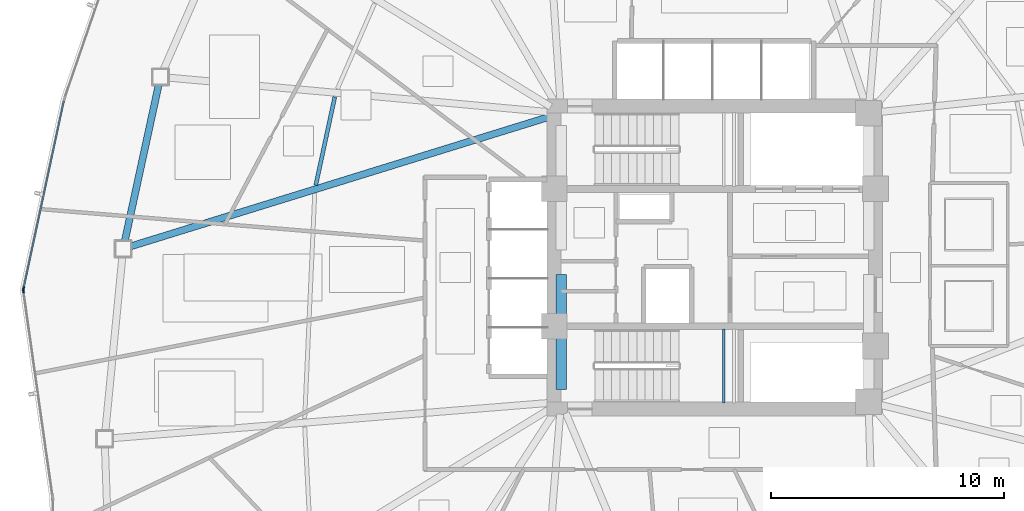
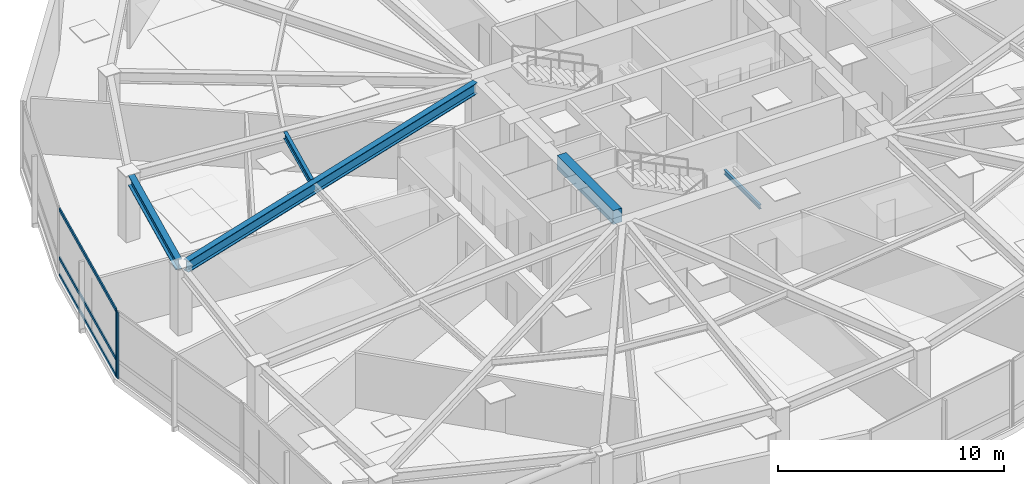
# One storey, part 4 of 17: 5 beams, 5 members, 2 elements without a shape of their own.
"""IFC4 building model written with IfcOpenShell, lengths in metres."""

from ifc_helpers import new_model, si_unit, direction, frame, origin, origin_2d, place, context, subcontext, project, spatial, rectangle, hollow_rectangle, i_section, extrude, source, transform, mapped, material, layer, layer_set, material_profile, profile_set, type_object, type_shapes, element, aggregate, save


model = new_model("IFC4")

# Units and contexts
model_context = context("Model", 3, precision=1e-05, world=origin(), true_north=direction((0.0, 1.0)))
body_context = subcontext(model_context, "Body", "Model", "MODEL_VIEW")
ifc_project = project(units=[si_unit("LENGTHUNIT", "METRE"), si_unit("AREAUNIT", "SQUARE_METRE"), si_unit("VOLUMEUNIT", "CUBIC_METRE"), si_unit("PLANEANGLEUNIT", "RADIAN"), si_unit("MASSUNIT", "GRAM", prefix="KILO")], contexts=[model_context])

# Site, building, storey
site_placement = place(None, origin())
site = spatial("IfcSite", under=ifc_project, at=site_placement, CompositionType="ELEMENT")
building_placement = place(site_placement, origin())
building = spatial("IfcBuilding", under=site, at=building_placement, Name="Tavelor Broadcast Tower", CompositionType="ELEMENT")
storey_placement = place(building_placement, frame((0.0, 0.0, 86.10009765625)))
storey = spatial("IfcBuildingStorey", under=building, at=storey_placement, Name="L20", CompositionType="ELEMENT", Elevation=86.10009765625)

# Beams
ifc_material_1 = material(Name="Concrete C40/50", Category="concrete")
ifc_material_profile_1 = material_profile(ifc_material_1, rectangle(XDim=0.449951171875, YDim=0.75, at=origin_2d()), Name="RC 450x750")
ifc_profile_set_1 = profile_set([ifc_material_profile_1], Name="Concrete C40/50")
beam_type_1 = type_object("IfcBeamType", Name="Basement Core Trim Beam 450x750", PredefinedType="BEAM", material=ifc_profile_set_1)
beam_1_placement = place(storey_placement, frame((43.39990234375, 39.327880859375, 3.224853515625), z_axis=(0.0, 1.0, 0.0), x_axis=(-1.0, 0.0, 0.0)))
element("IfcBeam", 1, at=beam_1_placement, inside=storey, type_object=beam_type_1, Name="L20 Core West-S Tie Girder", PredefinedType="BEAM", context=body_context, shape_type="SweptSolid", body=[
    extrude(rectangle(XDim=0.449951171875, YDim=0.75, at=origin_2d()), origin(), (0.0, 0.0, 1.0), 4.944091796875),
])
ifc_material_2 = material(Name="Steel S355", Category="steel")
ifc_material_profile_2 = material_profile(ifc_material_2, i_section(OverallWidth=0.169921875, OverallDepth=0.360107421875, WebThickness=0.008056640625, FlangeThickness=0.0126953125, at=origin_2d()), Name="IPE 360")
ifc_profile_set_2 = profile_set([ifc_material_profile_2], Name="Steel S355")
beam_type_2 = type_object("IfcBeamType", Name="Composite Floor Joist T2 IPE 360", PredefinedType="JOIST", material=ifc_profile_set_2)
beam_2_placement = place(storey_placement, frame((33.679931640625, 51.899658203125, 3.419921875), z_axis=(-0.210632825907, -0.97756524726, 0.0), x_axis=(0.97756524726, -0.210632825907, 0.0)))
element("IfcBeam", 2, at=beam_2_placement, inside=storey, type_object=beam_type_2, Name="L20 Secondary Composite Floor Joist 04", PredefinedType="JOIST", context=body_context, shape_type="SweptSolid", body=[
    extrude(i_section(OverallWidth=0.169921875, OverallDepth=0.360107421875, WebThickness=0.008056640625, FlangeThickness=0.0126953125, at=origin_2d()), origin(), (0.0, 0.0, 1.0), 3.8818359375),
])
ifc_material_profile_3 = material_profile(ifc_material_2, i_section(OverallWidth=0.300048828125, OverallDepth=0.550048828125, WebThickness=0.014892578125, FlangeThickness=0.029052734375, at=origin_2d()), Name="HEB 550")
ifc_profile_set_3 = profile_set([ifc_material_profile_3], Name="Steel S355")
beam_type_3 = type_object("IfcBeamType", Name="Perimeter Spandrel Beam T2 HEB 550", PredefinedType="SPANDREL", material=ifc_profile_set_3)
beam_3_placement = place(storey_placement, frame((26.1181640625, 52.4296875, 3.324951171875), z_axis=(-0.211875421449, -0.977296682582, 0.0), x_axis=(0.977296682582, -0.211875421449, 0.0)))
element("IfcBeam", 3, at=beam_3_placement, inside=storey, type_object=beam_type_3, Name="L20 Framed-Tube Ring Spandrel 04", PredefinedType="SPANDREL", context=body_context, shape_type="SweptSolid", body=[
    extrude(i_section(OverallWidth=0.300048828125, OverallDepth=0.550048828125, WebThickness=0.014892578125, FlangeThickness=0.029052734375, at=origin_2d()), origin(), (0.0, 0.0, 1.0), 6.876708984375),
])
ifc_material_profile_4 = material_profile(ifc_material_2, i_section(OverallWidth=0.300048828125, OverallDepth=0.60009765625, WebThickness=0.015380859375, FlangeThickness=0.030029296875, at=origin_2d()), Name="HEB 600")
ifc_profile_set_4 = profile_set([ifc_material_profile_4], Name="Steel S355")
beam_type_4 = type_object("IfcBeamType", Name="Radial Floor Girder T2 HEB 600", PredefinedType="BEAM", material=ifc_profile_set_4)
beam_4_placement = place(storey_placement, frame((42.8955078125, 51.0439453125, 3.2998046875), z_axis=(-0.9553264377, -0.295552698231, 0.0), x_axis=(0.295552698231, -0.9553264377, 0.0)))
element("IfcBeam", 4, at=beam_4_placement, inside=storey, type_object=beam_type_4, Name="L20 Radial Primary Floor Girder 05", PredefinedType="BEAM", context=body_context, shape_type="SweptSolid", body=[
    extrude(i_section(OverallWidth=0.300048828125, OverallDepth=0.60009765625, WebThickness=0.015380859375, FlangeThickness=0.030029296875, at=origin_2d()), origin(), (0.0, 0.0, 1.0), 18.82568359375),
])
ifc_material_profile_5 = material_profile(ifc_material_2, i_section(OverallWidth=0.1201171875, OverallDepth=0.239990234375, WebThickness=0.006103515625, FlangeThickness=0.009765625, at=origin_2d()), Name="IPE 240")
ifc_profile_set_5 = profile_set([ifc_material_profile_5], Name="Steel S355")
beam_type_5 = type_object("IfcBeamType", Name="Stairwell Landing Support Trimmer Beam IPE240", PredefinedType="BEAM", material=ifc_profile_set_5)
beam_5_placement = place(storey_placement, frame((50.385009765625, 38.760009765625, 1.635009765625), z_axis=(0.0, 1.0, 0.0), x_axis=(-1.0, 0.0, 0.0)))
element("IfcBeam", 5, at=beam_5_placement, inside=storey, type_object=beam_type_5, Name="L20 Stair Landing Support Beam 279", PredefinedType="BEAM", context=body_context, shape_type="SweptSolid", body=[
    extrude(i_section(OverallWidth=0.1201171875, OverallDepth=0.239990234375, WebThickness=0.006103515625, FlangeThickness=0.009765625, at=origin_2d()), origin(), (0.0, 0.0, 1.0), 3.179931640625),
])

# Curtain wall, member
ifc_material_3 = material(Name="Architectural Anodized Aluminium", Category="aluminium")
ifc_layer = layer(ifc_material_3, 0.179931640625)
ifc_layer_set = layer_set([ifc_layer], Name="Architectural Anodized Aluminium")
curtain_wall_type = type_object("IfcCurtainWallType", Name="Tower Low-Zone Unitised Curtain Wall CW02", PredefinedType="NOTDEFINED", material=ifc_layer_set)
curtain_wall_1_placement = place(storey_placement, origin())
curtain_wall_1 = element("IfcCurtainWall", 6, at=curtain_wall_1_placement, inside=storey, type_object=curtain_wall_type, Name="L20 Curtain Wall CW02 Run 194", PredefinedType="NOTDEFINED")
ifc_material_profile_6 = material_profile(ifc_material_3, hollow_rectangle(XDim=0.06494140625, YDim=0.179931640625, WallThickness=0.02197265625, at=origin_2d()), Name="RHS 65x180x22")
ifc_profile_set_6 = profile_set([ifc_material_profile_6], Name="Architectural Anodized Aluminium")
member_type_1 = type_object("IfcMemberType", Name="CW02 Extruded Aluminium Mullion 65x180", PredefinedType="MULLION", material=ifc_profile_set_6)
shared_shape_1 = source(origin(), body_context, "Body", "SweptSolid", [
    extrude(hollow_rectangle(XDim=0.06494140625, YDim=0.179931640625, WallThickness=0.02197265625, at=origin_2d()), origin(), (0.0, 0.0, 1.0), 3.599853515625),
])
type_shapes(member_type_1, [shared_shape_1])
member_1_placement = place(storey_placement, frame((20.3125, 43.66455078125, 0.0), z_axis=(0.0, 0.0, 1.0), x_axis=(0.977694827392, -0.210030532284, 0.0)))
member_1 = element("IfcMember", 7, at=member_1_placement, type_object=member_type_1, Name="CW02 mullion 2", PredefinedType="MULLION", context=body_context, shape_type="MappedRepresentation", body=[
    mapped(shared_shape_1, transform((0.0, 0.0, 0.0), scale=1.0)),
])

curtain_wall_2_placement = place(storey_placement, origin())
curtain_wall_2 = element("IfcCurtainWall", 8, at=curtain_wall_2_placement, inside=storey, type_object=curtain_wall_type, Name="L20 Curtain Wall CW02 Run 195", PredefinedType="NOTDEFINED")
member_2_placement = place(storey_placement, frame((20.30908203125, 43.571044921875, 0.0), z_axis=(0.0, 0.0, 1.0), x_axis=(0.990108057878, 0.14030692686, 0.0)))
member_2 = element("IfcMember", 9, at=member_2_placement, type_object=member_type_1, Name="CW02 mullion 1", PredefinedType="MULLION", context=body_context, shape_type="MappedRepresentation", body=[
    mapped(shared_shape_1, transform((0.0, 0.0, 0.0), scale=1.0)),
])
aggregate(curtain_wall_2, [member_2])

# Member
ifc_material_profile_7 = material_profile(ifc_material_3, hollow_rectangle(XDim=0.06494140625, YDim=0.179931640625, WallThickness=0.02197265625, at=origin_2d()), Name="RHS 65x180x22")
ifc_profile_set_7 = profile_set([ifc_material_profile_7], Name="Architectural Anodized Aluminium")
member_type_2 = type_object("IfcMemberType", Name="CW02 Extruded Aluminium Transom 65x180", PredefinedType="USERDEFINED", material=ifc_profile_set_7)
shared_shape_2 = source(origin(), body_context, "Body", "SweptSolid", [
    extrude(hollow_rectangle(XDim=0.06494140625, YDim=0.179931640625, WallThickness=0.02197265625, at=origin_2d()), origin(), (0.0, 0.0, 1.0), 8.20458984375),
])
type_shapes(member_type_2, [shared_shape_2])
member_3_placement = place(storey_placement, frame((22.04248046875, 51.7177734375, 0.032470703125), z_axis=(-0.21002491504, -0.977696034083, 0.0), x_axis=(0.977696034083, -0.21002491504, 0.0)))
member_3 = element("IfcMember", 10, at=member_3_placement, type_object=member_type_2, Name="CW02 transom 1.1", ObjectType="TRANSOM", PredefinedType="USERDEFINED", context=body_context, shape_type="MappedRepresentation", body=[
    mapped(shared_shape_2, transform((0.0, 0.0, 0.0), scale=1.0)),
])

member_4_placement = place(storey_placement, frame((22.04248046875, 51.7177734375, 0.949951171875), z_axis=(-0.21002491504, -0.977696034083, 0.0), x_axis=(0.977696034083, -0.21002491504, 0.0)))
member_4 = element("IfcMember", 11, at=member_4_placement, type_object=member_type_2, Name="CW02 transom 1.2", ObjectType="TRANSOM", PredefinedType="USERDEFINED", context=body_context, shape_type="MappedRepresentation", body=[
    mapped(shared_shape_2, transform((0.0, 0.0, 0.0), scale=1.0)),
])

member_5_placement = place(storey_placement, frame((22.04248046875, 51.7177734375, 3.5673828125), z_axis=(-0.21002491504, -0.977696034083, 0.0), x_axis=(0.977696034083, -0.21002491504, 0.0)))
member_5 = element("IfcMember", 12, at=member_5_placement, type_object=member_type_2, Name="CW02 transom 1.3", ObjectType="TRANSOM", PredefinedType="USERDEFINED", context=body_context, shape_type="MappedRepresentation", body=[
    mapped(shared_shape_2, transform((0.0, 0.0, 0.0), scale=1.0)),
])

aggregate(curtain_wall_1, [member_1, member_3, member_4, member_5])

save(model, "model.ifc")
